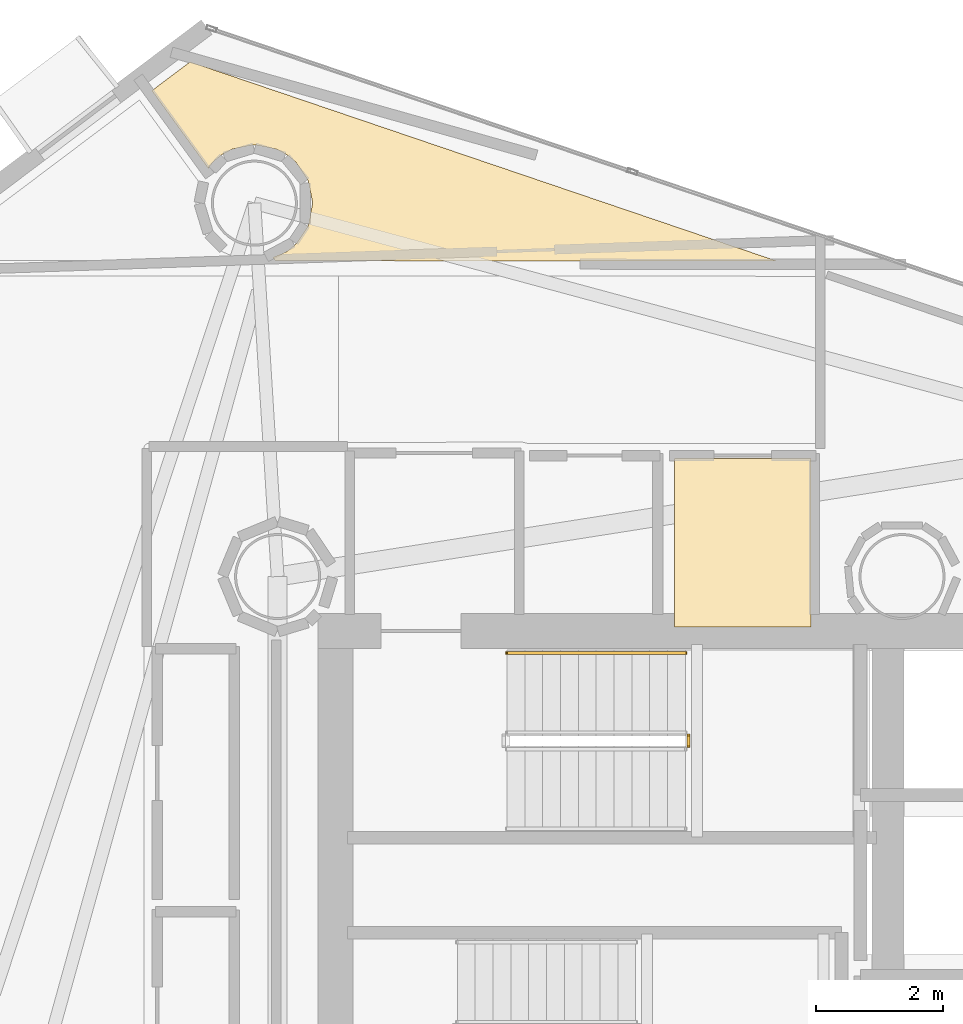
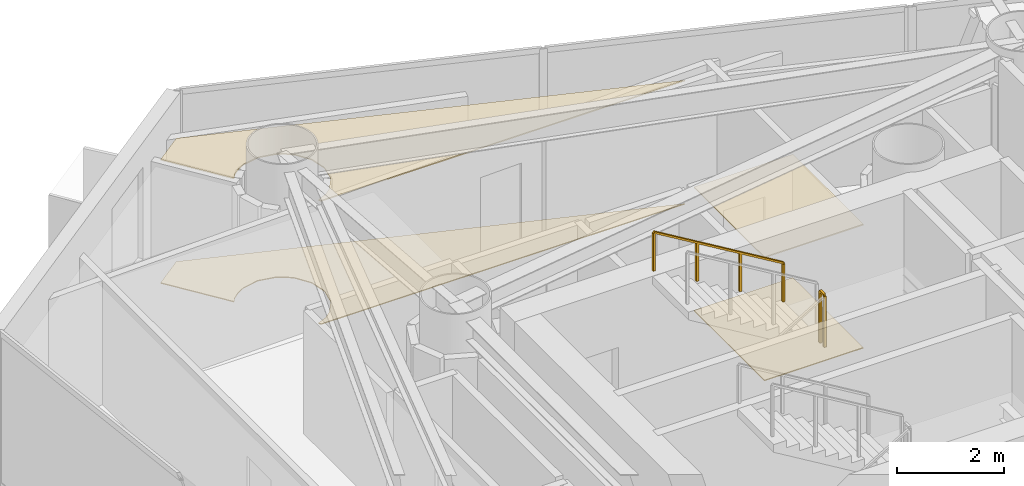
# One storey, part 22 of 22: 4 coverings, 2 railings.
"""IFC4 building model written with IfcOpenShell, lengths in metres."""

from ifc_helpers import new_model, si_unit, direction, frame, origin, origin_2d, place, context, subcontext, project, spatial, polyline, rectangle, outline, extrude, material, layer, layer_set, type_object, element, save


model = new_model("IFC4")

# Units and contexts
model_context = context("Model", 3, precision=1e-05, world=origin(), true_north=direction((0.0, 1.0)))
body_context = subcontext(model_context, "Body", "Model", "MODEL_VIEW")
ifc_project = project(units=[si_unit("LENGTHUNIT", "METRE"), si_unit("AREAUNIT", "SQUARE_METRE"), si_unit("VOLUMEUNIT", "CUBIC_METRE"), si_unit("PLANEANGLEUNIT", "RADIAN"), si_unit("MASSUNIT", "GRAM", prefix="KILO")], contexts=[model_context])

# Site, building, storey
site_placement = place(None, origin())
site = spatial("IfcSite", under=ifc_project, at=site_placement, CompositionType="ELEMENT")
building_placement = place(site_placement, origin())
building = spatial("IfcBuilding", under=site, at=building_placement, Name="Qianvela Tower", CompositionType="ELEMENT")
storey_placement = place(building_placement, frame((0.0, 0.0, 169.800048828125)))
storey = spatial("IfcBuildingStorey", under=building, at=storey_placement, Name="L43", CompositionType="ELEMENT", Elevation=169.800048828125)

# Coverings
ifc_material_1 = material(Name="Perforated Mineral Acoustic Ceiling Tile")
ifc_layer_1 = layer(ifc_material_1, 0.02490234375)
ifc_layer_set_1 = layer_set([ifc_layer_1], Name="Perforated Mineral Acoustic Ceiling Tile")
covering_type_1 = type_object("IfcCoveringType", Name="COV-CEIL-ACOUSTIC-25", PredefinedType="CEILING", material=ifc_layer_set_1)
covering_1_placement = place(storey_placement, frame((0.0, 0.0, 2.81494140625)))
element("IfcCovering", 1, at=covering_1_placement, inside=storey, type_object=covering_type_1, Name="L43 Acoustic Ceiling L43 Core Tea Pantry", PredefinedType="CEILING", context=body_context, shape_type="SweptSolid", body=[
    extrude(outline(polyline([(36.969970703125, 32.760009765625), (34.830078125, 32.760009765625), (34.830078125, 35.39990234375), (36.969970703125, 35.39990234375), (36.969970703125, 32.760009765625)])), origin(), (0.0, 0.0, 1.0), 0.02490234375),
])
covering_2_placement = place(storey_placement, frame((0.0, 0.0, 2.81494140625)))
element("IfcCovering", 2, at=covering_2_placement, inside=storey, type_object=covering_type_1, Name="L43 Acoustic Ceiling Student Tea Pantry L43-04", PredefinedType="CEILING", context=body_context, shape_type="SweptSolid", body=[
    extrude(outline(polyline([(28.563720703125, 38.50732421875), (28.526611328125, 38.558349609375), (28.7294921875, 38.642822265625), (28.73681640625, 38.646240234375), (28.743408203125, 38.650146484375), (28.749755859375, 38.65478515625), (28.876220703125, 38.7587890625), (28.882080078125, 38.763916015625), (28.88720703125, 38.769775390625), (28.89208984375, 38.776123046875), (29.072998046875, 39.047119140625), (29.076904296875, 39.0537109375), (29.080322265625, 39.060791015625), (29.0830078125, 39.068115234375), (29.0849609375, 39.075927734375), (29.1484375, 39.3955078125), (29.149658203125, 39.4033203125), (29.14990234375, 39.410888671875), (29.149658203125, 39.418701171875), (29.1484375, 39.426513671875), (29.0849609375, 39.74609375), (29.0830078125, 39.75390625), (29.080322265625, 39.76123046875), (29.076904296875, 39.768310546875), (29.072998046875, 39.77490234375), (28.89208984375, 40.0458984375), (28.88720703125, 40.05224609375), (28.882080078125, 40.05810546875), (28.876220703125, 40.063232421875), (28.749755859375, 40.1669921875), (28.743408203125, 40.171875), (28.736572265625, 40.17578125), (28.59228515625, 40.2529296875), (28.585205078125, 40.25634765625), (28.577880859375, 40.259033203125), (28.570068359375, 40.260986328125), (28.25048828125, 40.324462890625), (28.242919921875, 40.32568359375), (28.235107421875, 40.325927734375), (28.227294921875, 40.32568359375), (28.219482421875, 40.324462890625), (27.89990234375, 40.260986328125), (27.89208984375, 40.259033203125), (27.884765625, 40.25634765625), (27.877685546875, 40.2529296875), (27.7333984375, 40.17578125), (27.726806640625, 40.171875), (27.72021484375, 40.1669921875), (27.59375, 40.063232421875), (27.5888671875, 40.058837890625), (27.584228515625, 40.053955078125), (27.580078125, 40.048828125), (27.51171875, 39.955322265625), (26.62548828125, 41.175048828125), (27.22607421875, 41.627197265625), (36.4287109375, 38.5029296875), (28.563720703125, 38.50732421875)])), origin(), (0.0, 0.0, 1.0), 0.02490234375),
])
ifc_material_2 = material(Name="Engineered Acoustic Oak Timber Flooring", Category="wood")
ifc_layer_2 = layer(ifc_material_2, 0.02001953125)
ifc_layer_set_2 = layer_set([ifc_layer_2], Name="Engineered Acoustic Oak Timber Flooring")
covering_type_2 = type_object("IfcCoveringType", Name="COV-FLOOR-OAK-20", PredefinedType="FLOORING", material=ifc_layer_set_2)
covering_3_placement = place(storey_placement, origin())
element("IfcCovering", 3, at=covering_3_placement, inside=storey, type_object=covering_type_2, Name="L43 Finish Flooring L43 Core Tea Pantry", PredefinedType="FLOORING", context=body_context, shape_type="SweptSolid", body=[
    extrude(outline(polyline([(36.969970703125, 32.760009765625), (34.830078125, 32.760009765625), (34.830078125, 35.39990234375), (36.969970703125, 35.39990234375), (36.969970703125, 32.760009765625)])), origin(), (0.0, 0.0, 1.0), 0.02001953125),
])
covering_4_placement = place(storey_placement, origin())
element("IfcCovering", 4, at=covering_4_placement, inside=storey, type_object=covering_type_2, Name="L43 Finish Flooring Student Tea Pantry L43-04", PredefinedType="FLOORING", context=body_context, shape_type="SweptSolid", body=[
    extrude(outline(polyline([(28.563720703125, 38.50732421875), (28.526611328125, 38.558349609375), (28.7294921875, 38.642822265625), (28.73681640625, 38.646240234375), (28.743408203125, 38.650146484375), (28.749755859375, 38.65478515625), (28.876220703125, 38.7587890625), (28.882080078125, 38.763916015625), (28.88720703125, 38.769775390625), (28.89208984375, 38.776123046875), (29.072998046875, 39.047119140625), (29.076904296875, 39.0537109375), (29.080322265625, 39.060791015625), (29.0830078125, 39.068115234375), (29.0849609375, 39.075927734375), (29.1484375, 39.3955078125), (29.149658203125, 39.4033203125), (29.14990234375, 39.410888671875), (29.149658203125, 39.418701171875), (29.1484375, 39.426513671875), (29.0849609375, 39.74609375), (29.0830078125, 39.75390625), (29.080322265625, 39.76123046875), (29.076904296875, 39.768310546875), (29.072998046875, 39.77490234375), (28.89208984375, 40.0458984375), (28.88720703125, 40.05224609375), (28.882080078125, 40.05810546875), (28.876220703125, 40.063232421875), (28.749755859375, 40.1669921875), (28.743408203125, 40.171875), (28.736572265625, 40.17578125), (28.59228515625, 40.2529296875), (28.585205078125, 40.25634765625), (28.577880859375, 40.259033203125), (28.570068359375, 40.260986328125), (28.25048828125, 40.324462890625), (28.242919921875, 40.32568359375), (28.235107421875, 40.325927734375), (28.227294921875, 40.32568359375), (28.219482421875, 40.324462890625), (27.89990234375, 40.260986328125), (27.89208984375, 40.259033203125), (27.884765625, 40.25634765625), (27.877685546875, 40.2529296875), (27.7333984375, 40.17578125), (27.726806640625, 40.171875), (27.72021484375, 40.1669921875), (27.59375, 40.063232421875), (27.5888671875, 40.058837890625), (27.584228515625, 40.053955078125), (27.580078125, 40.048828125), (27.51171875, 39.955322265625), (26.62548828125, 41.175048828125), (27.22607421875, 41.627197265625), (36.4287109375, 38.5029296875), (28.563720703125, 38.50732421875)])), origin(), (0.0, 0.0, 1.0), 0.02001953125),
])

# Railings
ifc_material_3 = material(Name="Painted Tubular Steel Q355B", Category="steel")
railing_type_1 = type_object("IfcRailingType", Name="RL-STAIR-GUARD-1200", PredefinedType="GUARDRAIL", material=ifc_material_3)
railing_1_placement = place(storey_placement, frame((35.050048828125, 30.889892578125, 1.849853515625)))
element("IfcRailing", 5, at=railing_1_placement, inside=storey, type_object=railing_type_1, Name="L43 ST-1 stair guard 2", PredefinedType="GUARDRAIL", context=body_context, shape_type="SweptSolid", body=[
    extrude(rectangle(XDim=0.050048828125, YDim=0.0400390625, at=origin_2d()), frame((0.0, 0.0, 1.179931640625), z_axis=(0.0, 1.0, 0.0), x_axis=(-1.0, 0.0, 0.0)), (0.0, 0.0, 1.0), 0.16015625),
    extrude(rectangle(XDim=0.050048828125, YDim=0.050048828125, at=origin_2d()), origin(), (0.0, 0.0, 1.0), 1.159912109375),
    extrude(rectangle(XDim=0.050048828125, YDim=0.050048828125, at=origin_2d()), frame((0.0, 0.16015625, 0.0)), (0.0, 0.0, 1.0), 1.159912109375),
])
ifc_material_4 = material(Name="Brushed Stainless Steel 304", Category="steel")
railing_type_2 = type_object("IfcRailingType", Name="RL-STAIR-HANDRAIL-900", PredefinedType="HANDRAIL", material=ifc_material_4)
railing_2_placement = place(storey_placement, frame((35.0, 32.35009765625, 2.01806640625)))
element("IfcRailing", 6, at=railing_2_placement, inside=storey, type_object=railing_type_2, Name="L43 ST-1 stair handrail 2", PredefinedType="HANDRAIL", context=body_context, shape_type="SweptSolid", body=[
    extrude(rectangle(XDim=0.050048828125, YDim=0.0400390625, at=origin_2d()), frame((0.0, 0.0, 0.8798828125), z_axis=(-0.857242210791, 0.0, 0.514913383045), x_axis=(0.0, -1.0, 0.0)), (0.0, 0.0, 1.0), 3.266357421875),
    extrude(rectangle(XDim=0.050048828125, YDim=0.050048828125, at=origin_2d()), origin(), (0.0, 0.0, 1.0), 0.85986328125),
    extrude(rectangle(XDim=0.050048828125, YDim=0.050048828125, at=origin_2d()), frame((-0.933349609375, 0.0, 0.560546875)), (0.0, 0.0, 1.0), 0.85986328125),
    extrude(rectangle(XDim=0.050048828125, YDim=0.050048828125, at=origin_2d()), frame((-1.86669921875, 0.0, 1.121337890625)), (0.0, 0.0, 1.0), 0.85986328125),
    extrude(rectangle(XDim=0.050048828125, YDim=0.050048828125, at=origin_2d()), frame((-2.800048828125, 0.0, 1.681884765625)), (0.0, 0.0, 1.0), 0.85986328125),
])

save(model, "model.ifc")
